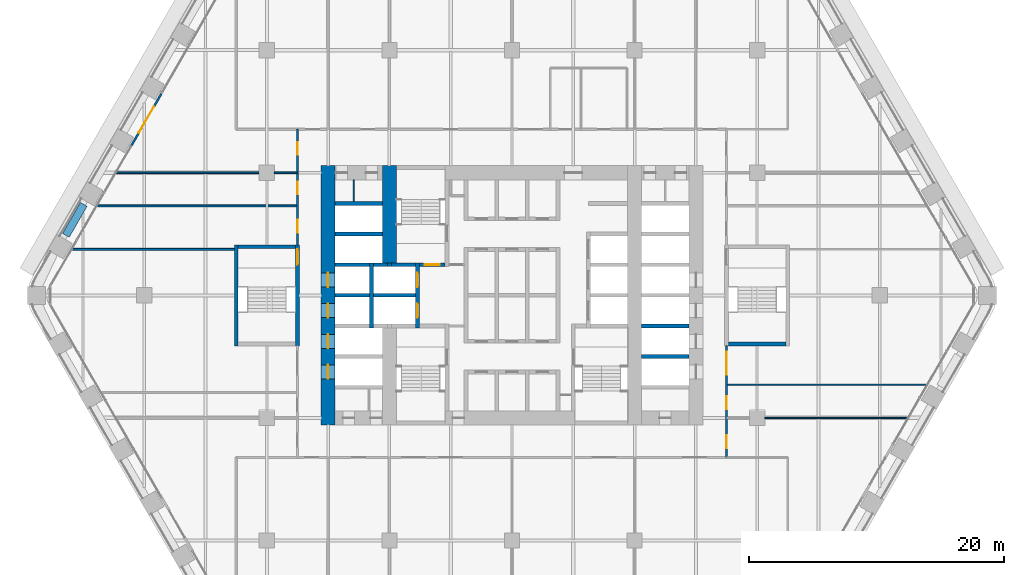
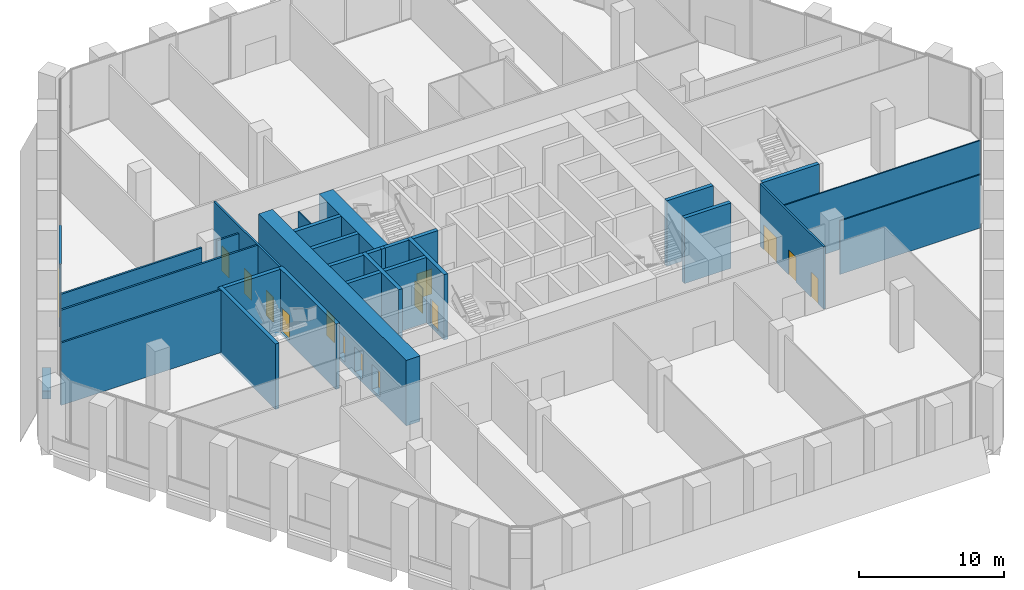
# One storey, part 19 of 27: 30 walls, 15 doors, 15 openings.
"""IFC4 building model written with IfcOpenShell, lengths in metres."""

from ifc_helpers import new_model, si_unit, direction, frame, frame_2d, origin, place, context, subcontext, project, spatial, rectangle, extrude, material, layer, layer_set, type_object, element, fill, save


model = new_model("IFC4")

# Units and contexts
model_context = context("Model", 3, precision=1e-05, world=origin(), true_north=direction((0.0, 1.0)))
body_context = subcontext(model_context, "Body", "Model", "MODEL_VIEW")
ifc_project = project(units=[si_unit("LENGTHUNIT", "METRE"), si_unit("AREAUNIT", "SQUARE_METRE"), si_unit("VOLUMEUNIT", "CUBIC_METRE"), si_unit("PLANEANGLEUNIT", "RADIAN"), si_unit("MASSUNIT", "GRAM", prefix="KILO")], contexts=[model_context])

# Site, building, storey
site_placement = place(None, origin())
site = spatial("IfcSite", under=ifc_project, at=site_placement, CompositionType="ELEMENT")
building_placement = place(site_placement, origin())
building = spatial("IfcBuilding", under=site, at=building_placement, Name="Kolab Exchange Tower", CompositionType="ELEMENT")
storey_placement = place(building_placement, frame((0.0, 0.0, 22.39990234375)))
storey = spatial("IfcBuildingStorey", under=building, at=storey_placement, Name="L04", CompositionType="ELEMENT", Elevation=22.39990234375)

# Wall, openings, doors
ifc_material_1 = material(Name="Concrete C80/95", Category="concrete")
ifc_layer_1 = layer(ifc_material_1, 1.10009765625)
ifc_layer_set_1 = layer_set([ifc_layer_1], Name="Concrete C80/95")
wall_type_1 = type_object("IfcWallType", Name="CORE WALL 1100 C80/95", PredefinedType="SHEAR", material=ifc_layer_set_1)
wall_1_placement = place(storey_placement, frame((-14.39990234375, -10.14990234375, -0.25), z_axis=(0.0, 0.0, 1.0), x_axis=(0.0, 1.0, 0.0)))
wall_1 = element("IfcWall", 1, at=wall_1_placement, inside=storey, type_object=wall_type_1, Name="wall/L04/core/057", PredefinedType="SHEAR", context=body_context, shape_type="SweptSolid", body=[
    extrude(rectangle(XDim=20.2998046875, YDim=1.10009765625, at=frame_2d((10.14990234375, 0.0))), origin(), (0.0, 0.0, 1.0), 5.5),
])
opening_1_placement = place(wall_1_placement, frame((3.60009765625, 0.0, 0.25)))
opening_1 = element("IfcOpeningElement", 2, at=opening_1_placement, cuts=wall_1, Name="Opening LD1-041", PredefinedType="OPENING", context=body_context, shape_type="SweptSolid", body=[
    extrude(rectangle(XDim=1.10009765625, YDim=2.10009765625, at=frame_2d((0.550048828125, 1.050048828125))), frame((0.0, 0.56005859375, 0.0), z_axis=(0.0, -1.0, 0.0), x_axis=(1.0, 0.0, 0.0)), (0.0, 0.0, 1.0), 1.1201171875),
])
opening_2_placement = place(wall_1_placement, frame((6.0, 0.0, 0.25)))
opening_2 = element("IfcOpeningElement", 3, at=opening_2_placement, cuts=wall_1, Name="Opening LD1-042", PredefinedType="OPENING", context=body_context, shape_type="SweptSolid", body=[
    extrude(rectangle(XDim=1.10009765625, YDim=2.10009765625, at=frame_2d((0.550048828125, 1.050048828125))), frame((0.0, 0.56005859375, 0.0), z_axis=(0.0, -1.0, 0.0), x_axis=(1.0, 0.0, 0.0)), (0.0, 0.0, 1.0), 1.1201171875),
])
opening_3_placement = place(wall_1_placement, frame((8.39990234375, 0.0, 0.25)))
opening_3 = element("IfcOpeningElement", 4, at=opening_3_placement, cuts=wall_1, Name="Opening LD1-043", PredefinedType="OPENING", context=body_context, shape_type="SweptSolid", body=[
    extrude(rectangle(XDim=1.10009765625, YDim=2.10009765625, at=frame_2d((0.550048828125, 1.050048828125))), frame((0.0, 0.56005859375, 0.0), z_axis=(0.0, -1.0, 0.0), x_axis=(1.0, 0.0, 0.0)), (0.0, 0.0, 1.0), 1.1201171875),
])
opening_4_placement = place(wall_1_placement, frame((10.800048828125, 0.0, 0.25)))
opening_4 = element("IfcOpeningElement", 5, at=opening_4_placement, cuts=wall_1, Name="Opening LD1-044", PredefinedType="OPENING", context=body_context, shape_type="SweptSolid", body=[
    extrude(rectangle(XDim=1.10009765625, YDim=2.10009765625, at=frame_2d((0.550048828125, 1.050048828125))), frame((0.0, 0.56005859375, 0.0), z_axis=(0.0, -1.0, 0.0), x_axis=(1.0, 0.0, 0.0)), (0.0, 0.0, 1.0), 1.1201171875),
])
ifc_material_2 = material(Name="Stainless steel 316", Category="steel")
door_type_1 = type_object("IfcDoorType", Name="LANDING DOOR 1100 PASSENGER", OperationType="DOUBLE_DOOR_SLIDING", PredefinedType="DOOR", material=ifc_material_2)
door_1_placement = place(opening_1_placement, origin())
door_1 = element("IfcDoor", 6, at=door_1_placement, inside=storey, type_object=door_type_1, Name="Landing door LR5", OperationType="DOUBLE_DOOR_SLIDING", OverallHeight=2.10009765625, OverallWidth=1.10009765625, PredefinedType="DOOR", context=body_context, shape_type="SweptSolid", body=[
    extrude(rectangle(XDim=1.10009765625, YDim=2.10009765625, at=frame_2d((0.550048828125, 1.050048828125))), frame((0.0, 0.02490234375, 0.0), z_axis=(0.0, -1.0, 0.0), x_axis=(1.0, 0.0, 0.0)), (0.0, 0.0, 1.0), 0.050048828125),
])
fill(opening_1, door_1)
door_2_placement = place(opening_2_placement, origin())
door_2 = element("IfcDoor", 7, at=door_2_placement, inside=storey, type_object=door_type_1, Name="Landing door LR6", OperationType="DOUBLE_DOOR_SLIDING", OverallHeight=2.10009765625, OverallWidth=1.10009765625, PredefinedType="DOOR", context=body_context, shape_type="SweptSolid", body=[
    extrude(rectangle(XDim=1.10009765625, YDim=2.10009765625, at=frame_2d((0.550048828125, 1.050048828125))), frame((0.0, 0.02490234375, 0.0), z_axis=(0.0, -1.0, 0.0), x_axis=(1.0, 0.0, 0.0)), (0.0, 0.0, 1.0), 0.050048828125),
])
fill(opening_2, door_2)
door_3_placement = place(opening_3_placement, origin())
door_3 = element("IfcDoor", 8, at=door_3_placement, inside=storey, type_object=door_type_1, Name="Landing door LR7", OperationType="DOUBLE_DOOR_SLIDING", OverallHeight=2.10009765625, OverallWidth=1.10009765625, PredefinedType="DOOR", context=body_context, shape_type="SweptSolid", body=[
    extrude(rectangle(XDim=1.10009765625, YDim=2.10009765625, at=frame_2d((0.550048828125, 1.050048828125))), frame((0.0, 0.02490234375, 0.0), z_axis=(0.0, -1.0, 0.0), x_axis=(1.0, 0.0, 0.0)), (0.0, 0.0, 1.0), 0.050048828125),
])
fill(opening_3, door_3)
door_4_placement = place(opening_4_placement, origin())
door_4 = element("IfcDoor", 9, at=door_4_placement, inside=storey, type_object=door_type_1, Name="Landing door LR8", OperationType="DOUBLE_DOOR_SLIDING", OverallHeight=2.10009765625, OverallWidth=1.10009765625, PredefinedType="DOOR", context=body_context, shape_type="SweptSolid", body=[
    extrude(rectangle(XDim=1.10009765625, YDim=2.10009765625, at=frame_2d((0.550048828125, 1.050048828125))), frame((0.0, 0.02490234375, 0.0), z_axis=(0.0, -1.0, 0.0), x_axis=(1.0, 0.0, 0.0)), (0.0, 0.0, 1.0), 0.050048828125),
])
fill(opening_4, door_4)

# Wall
wall_2_placement = place(storey_placement, frame((-9.60009765625, 2.550048828125, -0.25), z_axis=(0.0, 0.0, 1.0), x_axis=(0.0, 1.0, 0.0)))
element("IfcWall", 10, at=wall_2_placement, inside=storey, type_object=wall_type_1, Name="wall/L04/core/062", PredefinedType="SHEAR", context=body_context, shape_type="SweptSolid", body=[
    extrude(rectangle(XDim=7.599853515625, YDim=1.10009765625, at=frame_2d((3.7998046875, 0.0))), origin(), (0.0, 0.0, 1.0), 5.5),
])

# Wall, opening, door
ifc_material_3 = material(Name="Aluminium EN AW-6063 T6", Category="aluminium")
ifc_layer_2 = layer(ifc_material_3, 0.159912109375)
ifc_layer_set_2 = layer_set([ifc_layer_2], Name="Aluminium EN AW-6063 T6")
wall_type_2 = type_object("IfcWallType", Name="DOOR SURROUND WALL 160 ALUMINIUM FRAMED", PredefinedType="PARTITIONING", material=ifc_layer_set_2)
wall_3_placement = place(storey_placement, frame((-29.816650390625, 11.706787109375, 0.0), z_axis=(0.0, 0.0, 1.0), x_axis=(0.499978080042, 0.866038058908, 0.0)))
wall_3 = element("IfcWall", 11, at=wall_3_placement, inside=storey, type_object=wall_type_2, Name="Door surround wall", PredefinedType="PARTITIONING", context=body_context, shape_type="SweptSolid", body=[
    extrude(rectangle(XDim=4.739990234375, YDim=0.159912109375, at=frame_2d((2.3701171875, 0.0))), origin(), (0.0, 0.0, 1.0), 5.25),
])
opening_5_placement = place(wall_3_placement, frame((1.169921875, 0.0, 0.0)))
opening_5 = element("IfcOpeningElement", 12, at=opening_5_placement, cuts=wall_3, Name="Opening GD1-022", PredefinedType="OPENING", context=body_context, shape_type="SweptSolid", body=[
    extrude(rectangle(XDim=2.39990234375, YDim=2.39990234375, at=frame_2d((1.199951171875, 1.199951171875))), frame((0.0, 0.08984375, 0.0), z_axis=(0.0, -1.0, 0.0), x_axis=(1.0, 0.0, 0.0)), (0.0, 0.0, 1.0), 0.179931640625),
])
door_type_2 = type_object("IfcDoorType", Name="LOGGIA SLIDING GLASS DOOR 2400 X 2400", OperationType="DOUBLE_DOOR_SINGLE_SWING", PredefinedType="DOOR", material=ifc_material_3)
door_5_placement = place(opening_5_placement, origin())
door_5 = element("IfcDoor", 13, at=door_5_placement, inside=storey, type_object=door_type_2, Name="Loggia door", OperationType="DOUBLE_DOOR_SLIDING", OverallHeight=2.39990234375, OverallWidth=2.39990234375, PredefinedType="DOOR", context=body_context, shape_type="SweptSolid", body=[
    extrude(rectangle(XDim=2.39990234375, YDim=2.39990234375, at=frame_2d((1.199951171875, 1.199951171875))), frame((0.0, 0.02490234375, 0.0), z_axis=(0.0, -1.0, 0.0), x_axis=(1.0, 0.0, 0.0)), (0.0, 0.0, 1.0), 0.050048828125),
])
fill(opening_5, door_5)

# Walls
ifc_material_4 = material(Name="Concrete C50/60", Category="concrete")
ifc_layer_3 = layer(ifc_material_4, 0.300048828125)
ifc_layer_set_3 = layer_set([ifc_layer_3], Name="Concrete C50/60")
wall_type_3 = type_object("IfcWallType", Name="LIFT SHAFT WALL 300 C50/60", PredefinedType="STANDARD", material=ifc_layer_set_3)
for number, where, z_axis, x_axis, name in (
    (14, (10.14990234375, -4.800048828125, -0.25), (0.0, 0.0, 1.0), (1.0, 0.0, 0.0), "wall/L04/core/011"),
    (15, (10.14990234375, -2.39990234375, -0.25), (0.0, 0.0, 1.0), (1.0, 0.0, 0.0), "wall/L04/core/023"),
):
    element("IfcWall", number, at=place(storey_placement, frame(where, z_axis=z_axis, x_axis=x_axis)), inside=storey, type_object=wall_type_3, Name=name, PredefinedType="STANDARD", context=body_context, shape_type="SweptSolid", body=[
        extrude(rectangle(XDim=3.7001953125, YDim=0.300048828125, at=frame_2d((1.85009765625, 0.0))), origin(), (0.0, 0.0, 1.0), 5.5),
    ])
wall_4_placement = place(storey_placement, frame((-13.85009765625, 0.0, -0.25), z_axis=(0.0, 0.0, 1.0), x_axis=(1.0, 0.0, 0.0)))
element("IfcWall", 16, at=wall_4_placement, inside=storey, type_object=wall_type_3, Name="wall/L04/core/024", PredefinedType="STANDARD", context=body_context, shape_type="SweptSolid", body=[
    extrude(rectangle(XDim=2.7001953125, YDim=0.300048828125, at=frame_2d((1.35009765625, 0.0))), origin(), (0.0, 0.0, 1.0), 5.5),
])
wall_5_placement = place(storey_placement, frame((-10.85009765625, 0.0, -0.25), z_axis=(0.0, 0.0, 1.0), x_axis=(1.0, 0.0, 0.0)))
element("IfcWall", 17, at=wall_5_placement, inside=storey, type_object=wall_type_3, Name="wall/L04/core/025", PredefinedType="STANDARD", context=body_context, shape_type="SweptSolid", body=[
    extrude(rectangle(XDim=3.300048828125, YDim=0.300048828125, at=frame_2d((1.64990234375, 0.0))), origin(), (0.0, 0.0, 1.0), 5.5),
])
wall_6_placement = place(storey_placement, frame((-13.85009765625, 2.39990234375, -0.25), z_axis=(0.0, 0.0, 1.0), x_axis=(1.0, 0.0, 0.0)))
element("IfcWall", 18, at=wall_6_placement, inside=storey, type_object=wall_type_3, Name="wall/L04/core/031", PredefinedType="STANDARD", context=body_context, shape_type="SweptSolid", body=[
    extrude(rectangle(XDim=2.7001953125, YDim=0.300048828125, at=frame_2d((1.35009765625, 0.0))), origin(), (0.0, 0.0, 1.0), 5.5),
])
wall_7_placement = place(storey_placement, frame((-10.85009765625, 2.39990234375, -0.25), z_axis=(0.0, 0.0, 1.0), x_axis=(1.0, 0.0, 0.0)))
element("IfcWall", 19, at=wall_7_placement, inside=storey, type_object=wall_type_3, Name="wall/L04/core/032", PredefinedType="STANDARD", context=body_context, shape_type="SweptSolid", body=[
    extrude(rectangle(XDim=1.10009765625, YDim=0.300048828125, at=frame_2d((0.550048828125, 0.0))), origin(), (0.0, 0.0, 1.0), 5.5),
])
for number, where, z_axis, x_axis, name in (
    (20, (-13.85009765625, 4.800048828125, -0.25), (0.0, 0.0, 1.0), (1.0, 0.0, 0.0), "wall/L04/core/042"),
    (21, (-13.85009765625, 7.199951171875, -0.25), (0.0, 0.0, 1.0), (1.0, 0.0, 0.0), "wall/L04/core/048"),
):
    element("IfcWall", number, at=place(storey_placement, frame(where, z_axis=z_axis, x_axis=x_axis)), inside=storey, type_object=wall_type_3, Name=name, PredefinedType="STANDARD", context=body_context, shape_type="SweptSolid", body=[
        extrude(rectangle(XDim=3.7001953125, YDim=0.300048828125, at=frame_2d((1.85009765625, 0.0))), origin(), (0.0, 0.0, 1.0), 5.5),
    ])
wall_8_placement = place(storey_placement, frame((-11.0, -2.550048828125, -0.25), z_axis=(0.0, 0.0, 1.0), x_axis=(0.0, 1.0, 0.0)))
element("IfcWall", 22, at=wall_8_placement, inside=storey, type_object=wall_type_3, Name="wall/L04/core/058", PredefinedType="STANDARD", context=body_context, shape_type="SweptSolid", body=[
    extrude(rectangle(XDim=5.10009765625, YDim=0.300048828125, at=frame_2d((2.550048828125, 0.0))), origin(), (0.0, 0.0, 1.0), 5.5),
])

# Wall, openings, doors
wall_9_placement = place(storey_placement, frame((-7.39990234375, -2.550048828125, -0.25), z_axis=(0.0, 0.0, 1.0), x_axis=(0.0, 1.0, 0.0)))
wall_9 = element("IfcWall", 23, at=wall_9_placement, inside=storey, type_object=wall_type_3, Name="wall/L04/core/063", PredefinedType="STANDARD", context=body_context, shape_type="SweptSolid", body=[
    extrude(rectangle(XDim=5.10009765625, YDim=0.300048828125, at=frame_2d((2.550048828125, 0.0))), origin(), (0.0, 0.0, 1.0), 5.5),
])
opening_6_placement = place(wall_9_placement, frame((0.800048828125, 0.0, 0.25)))
opening_6 = element("IfcOpeningElement", 24, at=opening_6_placement, cuts=wall_9, Name="Opening LD2-009", PredefinedType="OPENING", context=body_context, shape_type="SweptSolid", body=[
    extrude(rectangle(XDim=1.10009765625, YDim=2.10009765625, at=frame_2d((0.550048828125, 1.050048828125))), frame((0.0, 0.16015625, 0.0), z_axis=(0.0, -1.0, 0.0), x_axis=(1.0, 0.0, 0.0)), (0.0, 0.0, 1.0), 0.320068359375),
])
opening_7_placement = place(wall_9_placement, frame((3.199951171875, 0.0, 0.25)))
opening_7 = element("IfcOpeningElement", 25, at=opening_7_placement, cuts=wall_9, Name="Opening LD2-010", PredefinedType="OPENING", context=body_context, shape_type="SweptSolid", body=[
    extrude(rectangle(XDim=1.10009765625, YDim=2.10009765625, at=frame_2d((0.550048828125, 1.050048828125))), frame((0.0, 0.16015625, 0.0), z_axis=(0.0, -1.0, 0.0), x_axis=(1.0, 0.0, 0.0)), (0.0, 0.0, 1.0), 0.320068359375),
])
door_type_3 = type_object("IfcDoorType", Name="LANDING DOOR 1100 FIREFIGHTING", OperationType="DOUBLE_DOOR_SLIDING", PredefinedType="DOOR", material=ifc_material_2)
door_6_placement = place(opening_6_placement, origin())
door_6 = element("IfcDoor", 26, at=door_6_placement, inside=storey, type_object=door_type_3, Name="Landing door FF1", OperationType="DOUBLE_DOOR_SLIDING", OverallHeight=2.10009765625, OverallWidth=1.10009765625, PredefinedType="DOOR", context=body_context, shape_type="SweptSolid", body=[
    extrude(rectangle(XDim=1.10009765625, YDim=2.10009765625, at=frame_2d((0.550048828125, 1.050048828125))), frame((0.0, 0.02490234375, 0.0), z_axis=(0.0, -1.0, 0.0), x_axis=(1.0, 0.0, 0.0)), (0.0, 0.0, 1.0), 0.050048828125),
])
fill(opening_6, door_6)
door_7_placement = place(opening_7_placement, origin())
door_7 = element("IfcDoor", 27, at=door_7_placement, inside=storey, type_object=door_type_3, Name="Landing door FF2", OperationType="DOUBLE_DOOR_SLIDING", OverallHeight=2.10009765625, OverallWidth=1.10009765625, PredefinedType="DOOR", context=body_context, shape_type="SweptSolid", body=[
    extrude(rectangle(XDim=1.10009765625, YDim=2.10009765625, at=frame_2d((0.550048828125, 1.050048828125))), frame((0.0, 0.02490234375, 0.0), z_axis=(0.0, -1.0, 0.0), x_axis=(1.0, 0.0, 0.0)), (0.0, 0.0, 1.0), 0.050048828125),
])
fill(opening_7, door_7)

# Walls
ifc_material_5 = material(Name="Gypsum board", Category="gypsum")
ifc_layer_4 = layer(ifc_material_5, 0.10009765625)
ifc_layer_set_4 = layer_set([ifc_layer_4], Name="Gypsum board")
wall_type_4 = type_object("IfcWallType", Name="PARTITION 100", PredefinedType="PARTITIONING", material=ifc_layer_set_4)
wall_10_placement = place(storey_placement, frame((-12.39990234375, 7.35009765625, 0.0), z_axis=(0.0, 0.0, 1.0), x_axis=(0.0, 1.0, 0.0)))
element("IfcWall", 28, at=wall_10_placement, inside=storey, type_object=wall_type_4, Name="Partition 023", PredefinedType="PARTITIONING", context=body_context, shape_type="SweptSolid", body=[
    extrude(rectangle(XDim=1.699951171875, YDim=0.10009765625, at=frame_2d((0.85009765625, 0.0))), origin(), (0.0, 0.0, 1.0), 5.25),
])
wall_11_placement = place(storey_placement, frame((19.800048828125, -9.60009765625, 0.0), z_axis=(0.0, 0.0, 1.0), x_axis=(1.0, 0.0, 0.0)))
element("IfcWall", 29, at=wall_11_placement, inside=storey, type_object=wall_type_4, Name="Partition 033", PredefinedType="PARTITIONING", context=body_context, shape_type="SweptSolid", body=[
    extrude(rectangle(XDim=11.186767578125, YDim=0.10009765625, at=frame_2d((5.59326171875, 0.0))), origin(), (0.0, 0.0, 1.0), 4.488037109375),
])
wall_12_placement = place(storey_placement, frame((16.800048828125, -7.0, 0.0), z_axis=(0.0, 0.0, 1.0), x_axis=(1.0, 0.0, 0.0)))
element("IfcWall", 30, at=wall_12_placement, inside=storey, type_object=wall_type_4, Name="Partition 038", PredefinedType="PARTITIONING", context=body_context, shape_type="SweptSolid", body=[
    extrude(rectangle(XDim=15.687744140625, YDim=0.10009765625, at=frame_2d((7.84375, 0.0))), origin(), (0.0, 0.0, 1.0), 5.25),
])

# Wall, openings, doors
ifc_layer_5 = layer(ifc_material_5, 0.14990234375)
ifc_layer_set_5 = layer_set([ifc_layer_5], Name="Gypsum board")
wall_type_5 = type_object("IfcWallType", Name="PARTITION 150 FIRE-RATED", PredefinedType="PARTITIONING", material=ifc_layer_set_5)
wall_13_placement = place(storey_placement, frame((16.800048828125, -12.699951171875, 0.0), z_axis=(0.0, 0.0, 1.0), x_axis=(0.0, 1.0, 0.0)))
wall_13 = element("IfcWall", 31, at=wall_13_placement, inside=storey, type_object=wall_type_5, Name="Partition 002", PredefinedType="PARTITIONING", context=body_context, shape_type="SweptSolid", body=[
    extrude(rectangle(XDim=8.75, YDim=0.14990234375, at=frame_2d((4.375, 0.0))), origin(), (0.0, 0.0, 1.0), 5.25),
])
opening_8_placement = place(wall_13_placement, frame((0.72998046875, 0.0, 0.0)))
opening_8 = element("IfcOpeningElement", 32, at=opening_8_placement, cuts=wall_13, Name="Opening D1-073", PredefinedType="OPENING", context=body_context, shape_type="SweptSolid", body=[
    extrude(rectangle(XDim=1.0, YDim=2.10009765625, at=frame_2d((0.5, 1.050048828125))), frame((0.0, 0.0849609375, 0.0), z_axis=(0.0, -1.0, 0.0), x_axis=(1.0, 0.0, 0.0)), (0.0, 0.0, 1.0), 0.169921875),
])
opening_9_placement = place(wall_13_placement, frame((3.794921875, 0.0, 0.0)))
opening_9 = element("IfcOpeningElement", 33, at=opening_9_placement, cuts=wall_13, Name="Opening D1-074", PredefinedType="OPENING", context=body_context, shape_type="SweptSolid", body=[
    extrude(rectangle(XDim=1.0, YDim=2.10009765625, at=frame_2d((0.5, 1.050048828125))), frame((0.0, 0.0849609375, 0.0), z_axis=(0.0, -1.0, 0.0), x_axis=(1.0, 0.0, 0.0)), (0.0, 0.0, 1.0), 0.169921875),
])
opening_10_placement = place(wall_13_placement, frame((6.47509765625, 0.0, 0.0)))
opening_10 = element("IfcOpeningElement", 34, at=opening_10_placement, cuts=wall_13, Name="Opening D2-013", PredefinedType="OPENING", context=body_context, shape_type="SweptSolid", body=[
    extrude(rectangle(XDim=1.800048828125, YDim=2.10009765625, at=frame_2d((0.89990234375, 1.050048828125))), frame((0.0, 0.0849609375, 0.0), z_axis=(0.0, -1.0, 0.0), x_axis=(1.0, 0.0, 0.0)), (0.0, 0.0, 1.0), 0.169921875),
])
ifc_material_6 = material(Name="Steel S235", Category="steel")
door_type_4 = type_object("IfcDoorType", Name="DOUBLE DOOR 1800 FD60", OperationType="DOUBLE_DOOR_SINGLE_SWING", PredefinedType="DOOR", material=ifc_material_6)
door_8_placement = place(opening_10_placement, frame((1.800048828125, 0.0, 0.0), z_axis=(0.0, 0.0, 1.0), x_axis=(-1.0, 0.0, 0.0)))
door_8 = element("IfcDoor", 35, at=door_8_placement, inside=storey, type_object=door_type_4, Name="Door L04-061", OperationType="SINGLE_SWING_RIGHT", OverallHeight=2.10009765625, OverallWidth=1.800048828125, PredefinedType="DOOR", context=body_context, shape_type="SweptSolid", body=[
    extrude(rectangle(XDim=1.800048828125, YDim=2.10009765625, at=frame_2d((0.89990234375, 1.050048828125))), frame((0.0, 0.02490234375, 0.0), z_axis=(0.0, -1.0, 0.0), x_axis=(1.0, 0.0, 0.0)), (0.0, 0.0, 1.0), 0.050048828125),
])
fill(opening_10, door_8)
door_type_5 = type_object("IfcDoorType", Name="FLUSH DOOR 1000 FD60", OperationType="SINGLE_SWING_LEFT", PredefinedType="DOOR", material=ifc_material_6)
door_9_placement = place(opening_8_placement, frame((1.0, 0.0, 0.0), z_axis=(0.0, 0.0, 1.0), x_axis=(-1.0, 0.0, 0.0)))
door_9 = element("IfcDoor", 36, at=door_9_placement, inside=storey, type_object=door_type_5, Name="Door L04-059", OperationType="SINGLE_SWING_LEFT", OverallHeight=2.10009765625, OverallWidth=1.0, PredefinedType="DOOR", context=body_context, shape_type="SweptSolid", body=[
    extrude(rectangle(XDim=1.0, YDim=2.10009765625, at=frame_2d((0.5, 1.050048828125))), frame((0.0, 0.02490234375, 0.0), z_axis=(0.0, -1.0, 0.0), x_axis=(1.0, 0.0, 0.0)), (0.0, 0.0, 1.0), 0.050048828125),
])
fill(opening_8, door_9)
door_10_placement = place(opening_9_placement, frame((1.0, 0.0, 0.0), z_axis=(0.0, 0.0, 1.0), x_axis=(-1.0, 0.0, 0.0)))
door_10 = element("IfcDoor", 37, at=door_10_placement, inside=storey, type_object=door_type_5, Name="Door L04-060", OperationType="SINGLE_SWING_LEFT", OverallHeight=2.10009765625, OverallWidth=1.0, PredefinedType="DOOR", context=body_context, shape_type="SweptSolid", body=[
    extrude(rectangle(XDim=1.0, YDim=2.10009765625, at=frame_2d((0.5, 1.050048828125))), frame((0.0, 0.02490234375, 0.0), z_axis=(0.0, -1.0, 0.0), x_axis=(1.0, 0.0, 0.0)), (0.0, 0.0, 1.0), 0.050048828125),
])
fill(opening_9, door_10)

wall_14_placement = place(storey_placement, frame((-16.800048828125, 3.949951171875, 0.0), z_axis=(0.0, 0.0, 1.0), x_axis=(0.0, 1.0, 0.0)))
wall_14 = element("IfcWall", 38, at=wall_14_placement, inside=storey, type_object=wall_type_5, Name="Partition 027", PredefinedType="PARTITIONING", context=body_context, shape_type="SweptSolid", body=[
    extrude(rectangle(XDim=9.050048828125, YDim=0.14990234375, at=frame_2d((4.52490234375, 0.0))), origin(), (0.0, 0.0, 1.0), 5.25),
])
opening_11_placement = place(wall_14_placement, frame((0.949951171875, 0.0, 0.0)))
opening_11 = element("IfcOpeningElement", 39, at=opening_11_placement, cuts=wall_14, Name="Opening D1-080", PredefinedType="OPENING", context=body_context, shape_type="SweptSolid", body=[
    extrude(rectangle(XDim=1.0, YDim=2.10009765625, at=frame_2d((0.5, 1.050048828125))), frame((0.0, 0.0849609375, 0.0), z_axis=(0.0, -1.0, 0.0), x_axis=(1.0, 0.0, 0.0)), (0.0, 0.0, 1.0), 0.169921875),
])
opening_12_placement = place(wall_14_placement, frame((3.955078125, 0.0, 0.0)))
opening_12 = element("IfcOpeningElement", 40, at=opening_12_placement, cuts=wall_14, Name="Opening D1-081", PredefinedType="OPENING", context=body_context, shape_type="SweptSolid", body=[
    extrude(rectangle(XDim=1.0, YDim=2.10009765625, at=frame_2d((0.5, 1.050048828125))), frame((0.0, 0.0849609375, 0.0), z_axis=(0.0, -1.0, 0.0), x_axis=(1.0, 0.0, 0.0)), (0.0, 0.0, 1.0), 0.169921875),
])
opening_13_placement = place(wall_14_placement, frame((7.050048828125, 0.0, 0.0)))
opening_13 = element("IfcOpeningElement", 41, at=opening_13_placement, cuts=wall_14, Name="Opening D1-082", PredefinedType="OPENING", context=body_context, shape_type="SweptSolid", body=[
    extrude(rectangle(XDim=1.0, YDim=2.10009765625, at=frame_2d((0.5, 1.050048828125))), frame((0.0, 0.0849609375, 0.0), z_axis=(0.0, -1.0, 0.0), x_axis=(1.0, 0.0, 0.0)), (0.0, 0.0, 1.0), 0.169921875),
])
door_11_placement = place(opening_11_placement, origin())
door_11 = element("IfcDoor", 42, at=door_11_placement, inside=storey, type_object=door_type_5, Name="Door L04-068", OperationType="SINGLE_SWING_RIGHT", OverallHeight=2.10009765625, OverallWidth=1.0, PredefinedType="DOOR", context=body_context, shape_type="SweptSolid", body=[
    extrude(rectangle(XDim=1.0, YDim=2.10009765625, at=frame_2d((0.5, 1.050048828125))), frame((0.0, 0.02490234375, 0.0), z_axis=(0.0, -1.0, 0.0), x_axis=(1.0, 0.0, 0.0)), (0.0, 0.0, 1.0), 0.050048828125),
])
fill(opening_11, door_11)
door_12_placement = place(opening_12_placement, origin())
door_12 = element("IfcDoor", 43, at=door_12_placement, inside=storey, type_object=door_type_5, Name="Door L04-069", OperationType="SINGLE_SWING_RIGHT", OverallHeight=2.10009765625, OverallWidth=1.0, PredefinedType="DOOR", context=body_context, shape_type="SweptSolid", body=[
    extrude(rectangle(XDim=1.0, YDim=2.10009765625, at=frame_2d((0.5, 1.050048828125))), frame((0.0, 0.02490234375, 0.0), z_axis=(0.0, -1.0, 0.0), x_axis=(1.0, 0.0, 0.0)), (0.0, 0.0, 1.0), 0.050048828125),
])
fill(opening_12, door_12)
door_13_placement = place(opening_13_placement, origin())
door_13 = element("IfcDoor", 44, at=door_13_placement, inside=storey, type_object=door_type_5, Name="Door L04-070", OperationType="SINGLE_SWING_RIGHT", OverallHeight=2.10009765625, OverallWidth=1.0, PredefinedType="DOOR", context=body_context, shape_type="SweptSolid", body=[
    extrude(rectangle(XDim=1.0, YDim=2.10009765625, at=frame_2d((0.5, 1.050048828125))), frame((0.0, 0.02490234375, 0.0), z_axis=(0.0, -1.0, 0.0), x_axis=(1.0, 0.0, 0.0)), (0.0, 0.0, 1.0), 0.050048828125),
])
fill(opening_13, door_13)

# Walls
wall_15_placement = place(storey_placement, frame((-34.450927734375, 3.60009765625, 0.0), z_axis=(0.0, 0.0, 1.0), x_axis=(1.0, 0.0, 0.0)))
element("IfcWall", 45, at=wall_15_placement, inside=storey, type_object=wall_type_5, Name="Partition 040", PredefinedType="PARTITIONING", context=body_context, shape_type="SweptSolid", body=[
    extrude(rectangle(XDim=12.700927734375, YDim=0.14990234375, at=frame_2d((6.3505859375, 0.0))), origin(), (0.0, 0.0, 1.0), 5.25),
])
wall_16_placement = place(storey_placement, frame((-32.48779296875, 7.0, 0.0), z_axis=(0.0, 0.0, 1.0), x_axis=(1.0, 0.0, 0.0)))
element("IfcWall", 46, at=wall_16_placement, inside=storey, type_object=wall_type_5, Name="Partition 041", PredefinedType="PARTITIONING", context=body_context, shape_type="SweptSolid", body=[
    extrude(rectangle(XDim=15.687744140625, YDim=0.14990234375, at=frame_2d((7.84375, 0.0))), origin(), (0.0, 0.0, 1.0), 5.25),
])
wall_17_placement = place(storey_placement, frame((-30.98681640625, 9.60009765625, 0.0), z_axis=(0.0, 0.0, 1.0), x_axis=(1.0, 0.0, 0.0)))
element("IfcWall", 47, at=wall_17_placement, inside=storey, type_object=wall_type_5, Name="Partition 044", PredefinedType="PARTITIONING", context=body_context, shape_type="SweptSolid", body=[
    extrude(rectangle(XDim=11.186767578125, YDim=0.14990234375, at=frame_2d((5.59326171875, 0.0))), origin(), (0.0, 0.0, 1.0), 4.488037109375),
])
wall_18_placement = place(storey_placement, frame((-18.60009765625, 9.60009765625, 0.0), z_axis=(0.0, 0.0, 1.0), x_axis=(1.0, 0.0, 0.0)))
element("IfcWall", 48, at=wall_18_placement, inside=storey, type_object=wall_type_5, Name="Partition 045", PredefinedType="PARTITIONING", context=body_context, shape_type="SweptSolid", body=[
    extrude(rectangle(XDim=1.800048828125, YDim=0.14990234375, at=frame_2d((0.89990234375, 0.0))), origin(), (0.0, 0.0, 1.0), 4.64208984375),
])
ifc_material_7 = material(Name="Granite facing", Category="masonry")
ifc_layer_6 = layer(ifc_material_7, 0.0400390625)
ifc_material_8 = material(Name="Concrete C40/50 precast", Category="concrete")
ifc_layer_7 = layer(ifc_material_8, 0.56005859375)
ifc_layer_set_6 = layer_set([ifc_layer_6, ifc_layer_7], Name="Concrete C40/50 precast")
wall_type_6 = type_object("IfcWallType", Name="PLANTER BOX 600 X 700 SOIL DEPTH 550", PredefinedType="USERDEFINED", material=ifc_layer_set_6)
wall_19_placement = place(storey_placement, frame((-34.93701171875, 4.697998046875, 0.0), z_axis=(0.0, 0.0, 1.0), x_axis=(0.49998411664, 0.866034573852, 0.0)))
element("IfcWall", 49, at=wall_19_placement, inside=storey, type_object=wall_type_6, Name="Planter", ObjectType="PLANTER", PredefinedType="USERDEFINED", context=body_context, shape_type="SweptSolid", body=[
    extrude(rectangle(XDim=2.7998046875, YDim=0.60009765625, at=frame_2d((1.39990234375, 0.0))), origin(), (0.0, 0.0, 1.0), 0.7001953125),
])
ifc_layer_8 = layer(ifc_material_4, 0.300048828125)
ifc_layer_set_7 = layer_set([ifc_layer_8], Name="Concrete C50/60")
wall_type_7 = type_object("IfcWallType", Name="STAIR ENCLOSURE WALL 300 C50/60", PredefinedType="STANDARD", material=ifc_layer_set_7)
wall_20_placement = place(storey_placement, frame((16.949951171875, -3.800048828125, -0.25), z_axis=(0.0, 0.0, 1.0), x_axis=(1.0, 0.0, 0.0)))
element("IfcWall", 50, at=wall_20_placement, inside=storey, type_object=wall_type_7, Name="wall/L04/core/013", PredefinedType="STANDARD", context=body_context, shape_type="SweptSolid", body=[
    extrude(rectangle(XDim=4.5, YDim=0.300048828125, at=frame_2d((2.25, 0.0))), origin(), (0.0, 0.0, 1.0), 5.5),
])
wall_21_placement = place(storey_placement, frame((-9.449951171875, 2.39990234375, -0.25), z_axis=(0.0, 0.0, 1.0), x_axis=(1.0, 0.0, 0.0)))
element("IfcWall", 51, at=wall_21_placement, inside=storey, type_object=wall_type_7, Name="wall/L04/core/033", PredefinedType="STANDARD", context=body_context, shape_type="SweptSolid", body=[
    extrude(rectangle(XDim=1.89990234375, YDim=0.300048828125, at=frame_2d((0.949951171875, 0.0))), origin(), (0.0, 0.0, 1.0), 5.5),
])

# Wall, opening, door
wall_22_placement = place(storey_placement, frame((-7.25, 2.39990234375, -0.25), z_axis=(0.0, 0.0, 1.0), x_axis=(1.0, 0.0, 0.0)))
wall_22 = element("IfcWall", 52, at=wall_22_placement, inside=storey, type_object=wall_type_7, Name="wall/L04/core/034", PredefinedType="STANDARD", context=body_context, shape_type="SweptSolid", body=[
    extrude(rectangle(XDim=2.0, YDim=0.300048828125, at=frame_2d((1.0, 0.0))), origin(), (0.0, 0.0, 1.0), 5.5),
])
opening_14_placement = place(wall_22_placement, frame((0.39990234375, 0.0, 0.25)))
opening_14 = element("IfcOpeningElement", 53, at=opening_14_placement, cuts=wall_22, Name="Opening D4-019", PredefinedType="OPENING", context=body_context, shape_type="SweptSolid", body=[
    extrude(rectangle(XDim=1.199951171875, YDim=2.10009765625, at=frame_2d((0.60009765625, 1.050048828125))), frame((0.0, 0.16015625, 0.0), z_axis=(0.0, -1.0, 0.0), x_axis=(1.0, 0.0, 0.0)), (0.0, 0.0, 1.0), 0.320068359375),
])
door_type_6 = type_object("IfcDoorType", Name="STAIR DOOR 1200 EI 120", OperationType="SINGLE_SWING_LEFT", PredefinedType="DOOR", material=ifc_material_6)
door_14_placement = place(opening_14_placement, origin())
door_14 = element("IfcDoor", 54, at=door_14_placement, inside=storey, type_object=door_type_6, Name="Stair 1 door", OperationType="SINGLE_SWING_RIGHT", OverallHeight=2.10009765625, OverallWidth=1.199951171875, PredefinedType="DOOR", context=body_context, shape_type="SweptSolid", body=[
    extrude(rectangle(XDim=1.199951171875, YDim=2.10009765625, at=frame_2d((0.60009765625, 1.050048828125))), frame((0.0, 0.02490234375, 0.0), z_axis=(0.0, -1.0, 0.0), x_axis=(1.0, 0.0, 0.0)), (0.0, 0.0, 1.0), 0.050048828125),
])
fill(opening_14, door_14)

# Walls
wall_23_placement = place(storey_placement, frame((-21.449951171875, 3.800048828125, -0.25), z_axis=(0.0, 0.0, 1.0), x_axis=(1.0, 0.0, 0.0)))
element("IfcWall", 55, at=wall_23_placement, inside=storey, type_object=wall_type_7, Name="wall/L04/core/040", PredefinedType="STANDARD", context=body_context, shape_type="SweptSolid", body=[
    extrude(rectangle(XDim=4.5, YDim=0.300048828125, at=frame_2d((2.25, 0.0))), origin(), (0.0, 0.0, 1.0), 5.5),
])
wall_24_placement = place(storey_placement, frame((-21.60009765625, -3.949951171875, -0.25), z_axis=(0.0, 0.0, 1.0), x_axis=(0.0, 1.0, 0.0)))
element("IfcWall", 56, at=wall_24_placement, inside=storey, type_object=wall_type_7, Name="wall/L04/core/055", PredefinedType="STANDARD", context=body_context, shape_type="SweptSolid", body=[
    extrude(rectangle(XDim=7.89990234375, YDim=0.300048828125, at=frame_2d((3.949951171875, 0.0))), origin(), (0.0, 0.0, 1.0), 5.5),
])

# Wall, opening, door
wall_25_placement = place(storey_placement, frame((-16.800048828125, -3.949951171875, -0.25), z_axis=(0.0, 0.0, 1.0), x_axis=(0.0, 1.0, 0.0)))
wall_25 = element("IfcWall", 57, at=wall_25_placement, inside=storey, type_object=wall_type_7, Name="wall/L04/core/056", PredefinedType="STANDARD", context=body_context, shape_type="SweptSolid", body=[
    extrude(rectangle(XDim=7.89990234375, YDim=0.300048828125, at=frame_2d((3.949951171875, 0.0))), origin(), (0.0, 0.0, 1.0), 5.5),
])
opening_15_placement = place(wall_25_placement, frame((6.35009765625, 0.0, 0.25)))
opening_15 = element("IfcOpeningElement", 58, at=opening_15_placement, cuts=wall_25, Name="Opening D4-024", PredefinedType="OPENING", context=body_context, shape_type="SweptSolid", body=[
    extrude(rectangle(XDim=1.199951171875, YDim=2.10009765625, at=frame_2d((0.60009765625, 1.050048828125))), frame((0.0, 0.16015625, 0.0), z_axis=(0.0, -1.0, 0.0), x_axis=(1.0, 0.0, 0.0)), (0.0, 0.0, 1.0), 0.320068359375),
])
door_15_placement = place(opening_15_placement, origin())
door_15 = element("IfcDoor", 59, at=door_15_placement, inside=storey, type_object=door_type_6, Name="Stair 5 door", OperationType="SINGLE_SWING_RIGHT", OverallHeight=2.10009765625, OverallWidth=1.199951171875, PredefinedType="DOOR", context=body_context, shape_type="SweptSolid", body=[
    extrude(rectangle(XDim=1.199951171875, YDim=2.10009765625, at=frame_2d((0.60009765625, 1.050048828125))), frame((0.0, 0.02490234375, 0.0), z_axis=(0.0, -1.0, 0.0), x_axis=(1.0, 0.0, 0.0)), (0.0, 0.0, 1.0), 0.050048828125),
])
fill(opening_15, door_15)

# Wall
wall_26_placement = place(storey_placement, frame((-9.60009765625, 2.25, -0.25), z_axis=(0.0, 0.0, 1.0), x_axis=(0.0, 1.0, 0.0)))
element("IfcWall", 60, at=wall_26_placement, inside=storey, type_object=wall_type_7, Name="wall/L04/core/061", PredefinedType="STANDARD", context=body_context, shape_type="SweptSolid", body=[
    extrude(rectangle(XDim=0.300048828125, YDim=0.300048828125, at=frame_2d((0.14990234375, 0.0))), origin(), (0.0, 0.0, 1.0), 5.5),
])

save(model, "model.ifc")
